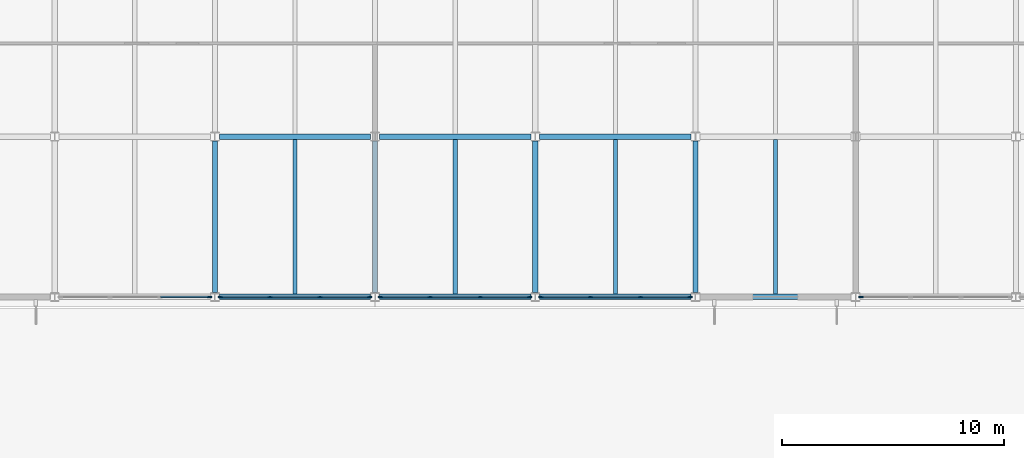
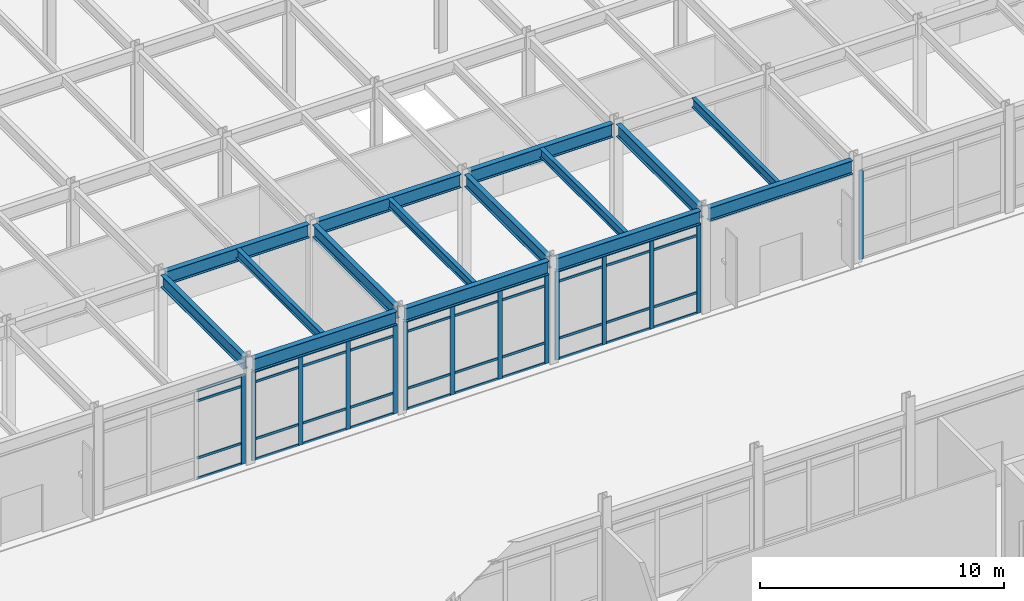
# One storey, part 33 of 104: 54 members, 15 beams, 5 elements without a shape of their own.
"""IFC4 building model written with IfcOpenShell, lengths in metres."""

from ifc_helpers import new_model, si_unit, direction, frame, origin, origin_2d, place, context, subcontext, project, spatial, rectangle, i_section, extrude, material, material_profile, profile_set, type_object, element, aggregate, save


model = new_model("IFC4")

# Units and contexts
model_context = context("Model", 3, precision=1e-05, world=origin(), true_north=direction((0.0, 1.0)))
body_context = subcontext(model_context, "Body", "Model", "MODEL_VIEW")
ifc_project = project(units=[si_unit("LENGTHUNIT", "METRE"), si_unit("AREAUNIT", "SQUARE_METRE"), si_unit("VOLUMEUNIT", "CUBIC_METRE"), si_unit("PLANEANGLEUNIT", "RADIAN"), si_unit("MASSUNIT", "GRAM", prefix="KILO")], contexts=[model_context])

# Site, building, storey
site_placement = place(None, origin())
site = spatial("IfcSite", under=ifc_project, at=site_placement, CompositionType="ELEMENT")
building_placement = place(site_placement, origin())
building = spatial("IfcBuilding", under=site, at=building_placement, Name="Vaelcorin Mobility Hub", CompositionType="ELEMENT")
storey_placement = place(building_placement, origin())
storey = spatial("IfcBuildingStorey", under=building, at=storey_placement, Name="L00", CompositionType="ELEMENT", Elevation=0.0)

# Beams
ifc_material_1 = material(Name="Steel ASTM A992 Grade 50", Category="steel")
ifc_material_profile_1 = material_profile(ifc_material_1, i_section(OverallWidth=0.19091796875, OverallDepth=0.4599609375, WebThickness=0.010009765625, FlangeThickness=0.01611328125, FilletRadius=0.012939453125, at=origin_2d()), Name="W18X55")
ifc_profile_set_1 = profile_set([ifc_material_profile_1], Name="Steel ASTM A992 Grade 50")
beam_type_1 = type_object("IfcBeamType", Name="BM-W18X55", PredefinedType="JOIST", material=ifc_profile_set_1)
for number, where, z_axis, x_axis, name in (
    (1, (75.60009765625, 76.925048828125, 4.929931640625), (0.0, 1.0, 0.0), (-1.0, 0.0, 0.0), "L00 Beam V4-L00-J-06-01-1"),
    (2, (82.800048828125, 76.925048828125, 4.929931640625), (0.0, 1.0, 0.0), (-1.0, 0.0, 0.0), "L00 Beam V4-L00-J-07-01-1"),
    (3, (90.0, 76.925048828125, 4.929931640625), (0.0, 1.0, 0.0), (-1.0, 0.0, 0.0), "L00 Beam V4-L00-J-08-01-1"),
    (4, (97.199951171875, 76.925048828125, 4.929931640625), (0.0, 1.0, 0.0), (-1.0, 0.0, 0.0), "L00 Beam V4-L00-J-09-01-1"),
):
    element("IfcBeam", number, at=place(storey_placement, frame(where, z_axis=z_axis, x_axis=x_axis)), inside=storey, type_object=beam_type_1, Name=name, PredefinedType="JOIST", context=body_context, shape_type="SweptSolid", body=[
        extrude(i_section(OverallWidth=0.19091796875, OverallDepth=0.4599609375, WebThickness=0.010009765625, FlangeThickness=0.01611328125, FilletRadius=0.012939453125, at=origin_2d()), origin(), (0.0, 0.0, 1.0), 6.949951171875),
    ])
ifc_material_profile_2 = material_profile(ifc_material_1, i_section(OverallWidth=0.22900390625, OverallDepth=0.612060546875, WebThickness=0.011962890625, FlangeThickness=0.01953125, FilletRadius=0.014892578125, at=origin_2d()), Name="W24X84")
ifc_profile_set_2 = profile_set([ifc_material_profile_2], Name="Steel ASTM A992 Grade 50")
beam_type_2 = type_object("IfcBeamType", Name="BM-W24X84", PredefinedType="BEAM", material=ifc_profile_set_2)
for number, where, z_axis, x_axis, name in (
    (5, (72.0, 76.9951171875, 4.85400390625), (0.0, 1.0, 0.0), (-1.0, 0.0, 0.0), "L00 Beam V4-L00-GY-06-01"),
    (6, (79.199951171875, 76.9951171875, 4.85400390625), (0.0, 1.0, 0.0), (-1.0, 0.0, 0.0), "L00 Beam V4-L00-GY-07-01"),
    (7, (86.39990234375, 76.9951171875, 4.85400390625), (0.0, 1.0, 0.0), (-1.0, 0.0, 0.0), "L00 Beam V4-L00-GY-08-01"),
    (8, (93.60009765625, 76.9951171875, 4.85400390625), (0.0, 1.0, 0.0), (-1.0, 0.0, 0.0), "L00 Beam V4-L00-GY-09-01"),
):
    element("IfcBeam", number, at=place(storey_placement, frame(where, z_axis=z_axis, x_axis=x_axis)), inside=storey, type_object=beam_type_2, Name=name, PredefinedType="BEAM", context=body_context, shape_type="SweptSolid", body=[
        extrude(i_section(OverallWidth=0.22900390625, OverallDepth=0.612060546875, WebThickness=0.011962890625, FlangeThickness=0.01953125, FilletRadius=0.014892578125, at=origin_2d()), origin(), (0.0, 0.0, 1.0), 6.803955078125),
    ])
ifc_material_profile_3 = material_profile(ifc_material_1, i_section(OverallWidth=0.25390625, OverallDepth=0.68310546875, WebThickness=0.012451171875, FlangeThickness=0.018798828125, FilletRadius=0.01611328125, at=origin_2d()), Name="W27X94")
ifc_profile_set_3 = profile_set([ifc_material_profile_3], Name="Steel ASTM A992 Grade 50")
beam_type_3 = type_object("IfcBeamType", Name="BM-W27X94", PredefinedType="BEAM", material=ifc_profile_set_3)
for number, where, z_axis, x_axis, name in (
    (9, (72.197998046875, 76.800048828125, 4.818115234375), (1.0, 0.0, 0.0), (0.0, 1.0, 0.0), "L00 Beam V4-L00-GX-01-06"),
    (10, (79.39794921875, 76.800048828125, 4.818115234375), (1.0, 0.0, 0.0), (0.0, 1.0, 0.0), "L00 Beam V4-L00-GX-01-07"),
):
    element("IfcBeam", number, at=place(storey_placement, frame(where, z_axis=z_axis, x_axis=x_axis)), inside=storey, type_object=beam_type_3, Name=name, PredefinedType="BEAM", context=body_context, shape_type="SweptSolid", body=[
        extrude(i_section(OverallWidth=0.25390625, OverallDepth=0.68310546875, WebThickness=0.012451171875, FlangeThickness=0.018798828125, FilletRadius=0.01611328125, at=origin_2d()), origin(), (0.0, 0.0, 1.0), 6.803955078125),
    ])
beam_1_placement = place(storey_placement, frame((86.597900390625, 76.800048828125, 4.818115234375), z_axis=(1.0, 0.0, 0.0), x_axis=(0.0, 1.0, 0.0)))
element("IfcBeam", 11, at=beam_1_placement, inside=storey, type_object=beam_type_3, Name="L00 Beam V4-L00-GX-01-08", PredefinedType="BEAM", context=body_context, shape_type="SweptSolid", body=[
    extrude(i_section(OverallWidth=0.25390625, OverallDepth=0.68310546875, WebThickness=0.012451171875, FlangeThickness=0.018798828125, FilletRadius=0.01611328125, at=origin_2d()), origin(), (0.0, 0.0, 1.0), 6.80419921875),
])
beam_2_placement = place(storey_placement, frame((93.798095703125, 76.800048828125, 4.818115234375), z_axis=(1.0, 0.0, 0.0), x_axis=(0.0, 1.0, 0.0)))
element("IfcBeam", 12, at=beam_2_placement, inside=storey, type_object=beam_type_3, Name="L00 Beam V4-L00-GX-01-09", PredefinedType="BEAM", context=body_context, shape_type="SweptSolid", body=[
    extrude(i_section(OverallWidth=0.25390625, OverallDepth=0.68310546875, WebThickness=0.012451171875, FlangeThickness=0.018798828125, FilletRadius=0.01611328125, at=origin_2d()), origin(), (0.0, 0.0, 1.0), 6.803955078125),
])
for number, where, z_axis, x_axis, name in (
    (13, (72.199951171875, 84.0, 4.818115234375), (1.0, 0.0, 0.0), (0.0, 1.0, 0.0), "L00 Beam V4-L00-GX-02-06"),
    (14, (79.39990234375, 84.0, 4.818115234375), (1.0, 0.0, 0.0), (0.0, 1.0, 0.0), "L00 Beam V4-L00-GX-02-07"),
):
    element("IfcBeam", number, at=place(storey_placement, frame(where, z_axis=z_axis, x_axis=x_axis)), inside=storey, type_object=beam_type_3, Name=name, PredefinedType="BEAM", context=body_context, shape_type="SweptSolid", body=[
        extrude(i_section(OverallWidth=0.25390625, OverallDepth=0.68310546875, WebThickness=0.012451171875, FlangeThickness=0.018798828125, FilletRadius=0.01611328125, at=origin_2d()), origin(), (0.0, 0.0, 1.0), 6.800048828125),
    ])
beam_3_placement = place(storey_placement, frame((86.60009765625, 84.0, 4.818115234375), z_axis=(1.0, 0.0, 0.0), x_axis=(0.0, 1.0, 0.0)))
element("IfcBeam", 15, at=beam_3_placement, inside=storey, type_object=beam_type_3, Name="L00 Beam V4-L00-GX-02-08", PredefinedType="BEAM", context=body_context, shape_type="SweptSolid", body=[
    extrude(i_section(OverallWidth=0.25390625, OverallDepth=0.68310546875, WebThickness=0.012451171875, FlangeThickness=0.018798828125, FilletRadius=0.01611328125, at=origin_2d()), origin(), (0.0, 0.0, 1.0), 6.7998046875),
])

# Curtain wall, member
ifc_material_2 = material(Name="Anodised aluminium 6063-T6", Category="aluminium")
curtain_wall_type = type_object("IfcCurtainWallType", Name="CW-MSC-A", PredefinedType="NOTDEFINED", material=ifc_material_2)
curtain_wall_1_placement = place(storey_placement, origin())
curtain_wall_1 = element("IfcCurtainWall", 16, at=curtain_wall_1_placement, inside=storey, type_object=curtain_wall_type, Name="L00 Curtain Wall CW-V4-L00-S-05", PredefinedType="NOTDEFINED")
ifc_material_profile_4 = material_profile(ifc_material_2, rectangle(XDim=0.070068359375, YDim=0.199951171875, at=origin_2d()), Name="ALU-M70X200")
ifc_profile_set_4 = profile_set([ifc_material_profile_4], Name="Anodised aluminium 6063-T6")
member_type_1 = type_object("IfcMemberType", Name="CW-MULL-200", PredefinedType="MULLION", material=ifc_profile_set_4)
member_1_placement = place(storey_placement, frame((71.75, 76.800048828125, 0.0), z_axis=(0.0, 0.0, 1.0), x_axis=(0.0, -1.0, 0.0)))
member_1 = element("IfcMember", 17, at=member_1_placement, type_object=member_type_1, Name="CW3 mullion 1", PredefinedType="MULLION", context=body_context, shape_type="SweptSolid", body=[
    extrude(rectangle(XDim=0.070068359375, YDim=0.199951171875, at=origin_2d()), origin(), (0.0, 0.0, 1.0), 4.4619140625),
])

# Curtain wall, members
curtain_wall_2_placement = place(storey_placement, origin())
curtain_wall_2 = element("IfcCurtainWall", 18, at=curtain_wall_2_placement, inside=storey, type_object=curtain_wall_type, Name="L00 Curtain Wall CW-V4-L00-S-06", PredefinedType="NOTDEFINED")
member_2_placement = place(storey_placement, frame((78.949951171875, 76.800048828125, 0.0), z_axis=(0.0, 0.0, 1.0), x_axis=(0.0, -1.0, 0.0)))
member_2 = element("IfcMember", 19, at=member_2_placement, type_object=member_type_1, Name="CW3 mullion 1", PredefinedType="MULLION", context=body_context, shape_type="SweptSolid", body=[
    extrude(rectangle(XDim=0.070068359375, YDim=0.199951171875, at=origin_2d()), origin(), (0.0, 0.0, 1.0), 4.4619140625),
])
member_3_placement = place(storey_placement, frame((76.7265625, 76.800048828125, 0.0), z_axis=(0.0, 0.0, 1.0), x_axis=(0.0, -1.0, 0.0)))
member_3 = element("IfcMember", 20, at=member_3_placement, type_object=member_type_1, Name="CW3 mullion 2", PredefinedType="MULLION", context=body_context, shape_type="SweptSolid", body=[
    extrude(rectangle(XDim=0.070068359375, YDim=0.199951171875, at=origin_2d()), origin(), (0.0, 0.0, 1.0), 4.4619140625),
])
member_4_placement = place(storey_placement, frame((74.473388671875, 76.800048828125, 0.0), z_axis=(0.0, 0.0, 1.0), x_axis=(0.0, -1.0, 0.0)))
member_4 = element("IfcMember", 21, at=member_4_placement, type_object=member_type_1, Name="CW3 mullion 3", PredefinedType="MULLION", context=body_context, shape_type="SweptSolid", body=[
    extrude(rectangle(XDim=0.070068359375, YDim=0.199951171875, at=origin_2d()), origin(), (0.0, 0.0, 1.0), 4.4619140625),
])
member_5_placement = place(storey_placement, frame((72.25, 76.800048828125, 0.0), z_axis=(0.0, 0.0, 1.0), x_axis=(0.0, -1.0, 0.0)))
member_5 = element("IfcMember", 22, at=member_5_placement, type_object=member_type_1, Name="CW3 mullion 4", PredefinedType="MULLION", context=body_context, shape_type="SweptSolid", body=[
    extrude(rectangle(XDim=0.070068359375, YDim=0.199951171875, at=origin_2d()), origin(), (0.0, 0.0, 1.0), 4.4619140625),
])

curtain_wall_3_placement = place(storey_placement, origin())
curtain_wall_3 = element("IfcCurtainWall", 23, at=curtain_wall_3_placement, inside=storey, type_object=curtain_wall_type, Name="L00 Curtain Wall CW-V4-L00-S-07", PredefinedType="NOTDEFINED")
member_6_placement = place(storey_placement, frame((86.14990234375, 76.800048828125, 0.0), z_axis=(0.0, 0.0, 1.0), x_axis=(0.0, -1.0, 0.0)))
member_6 = element("IfcMember", 24, at=member_6_placement, type_object=member_type_1, Name="CW3 mullion 1", PredefinedType="MULLION", context=body_context, shape_type="SweptSolid", body=[
    extrude(rectangle(XDim=0.070068359375, YDim=0.199951171875, at=origin_2d()), origin(), (0.0, 0.0, 1.0), 4.4619140625),
])
member_7_placement = place(storey_placement, frame((83.9267578125, 76.800048828125, 0.0), z_axis=(0.0, 0.0, 1.0), x_axis=(0.0, -1.0, 0.0)))
member_7 = element("IfcMember", 25, at=member_7_placement, type_object=member_type_1, Name="CW3 mullion 2", PredefinedType="MULLION", context=body_context, shape_type="SweptSolid", body=[
    extrude(rectangle(XDim=0.070068359375, YDim=0.199951171875, at=origin_2d()), origin(), (0.0, 0.0, 1.0), 4.4619140625),
])
member_8_placement = place(storey_placement, frame((81.67333984375, 76.800048828125, 0.0), z_axis=(0.0, 0.0, 1.0), x_axis=(0.0, -1.0, 0.0)))
member_8 = element("IfcMember", 26, at=member_8_placement, type_object=member_type_1, Name="CW3 mullion 3", PredefinedType="MULLION", context=body_context, shape_type="SweptSolid", body=[
    extrude(rectangle(XDim=0.070068359375, YDim=0.199951171875, at=origin_2d()), origin(), (0.0, 0.0, 1.0), 4.4619140625),
])
member_9_placement = place(storey_placement, frame((79.449951171875, 76.800048828125, 0.0), z_axis=(0.0, 0.0, 1.0), x_axis=(0.0, -1.0, 0.0)))
member_9 = element("IfcMember", 27, at=member_9_placement, type_object=member_type_1, Name="CW3 mullion 4", PredefinedType="MULLION", context=body_context, shape_type="SweptSolid", body=[
    extrude(rectangle(XDim=0.070068359375, YDim=0.199951171875, at=origin_2d()), origin(), (0.0, 0.0, 1.0), 4.4619140625),
])

curtain_wall_4_placement = place(storey_placement, origin())
curtain_wall_4 = element("IfcCurtainWall", 28, at=curtain_wall_4_placement, inside=storey, type_object=curtain_wall_type, Name="L00 Curtain Wall CW-V4-L00-S-08", PredefinedType="NOTDEFINED")
member_10_placement = place(storey_placement, frame((93.35009765625, 76.800048828125, 0.0), z_axis=(0.0, 0.0, 1.0), x_axis=(0.0, -1.0, 0.0)))
member_10 = element("IfcMember", 29, at=member_10_placement, type_object=member_type_1, Name="CW3 mullion 1", PredefinedType="MULLION", context=body_context, shape_type="SweptSolid", body=[
    extrude(rectangle(XDim=0.070068359375, YDim=0.199951171875, at=origin_2d()), origin(), (0.0, 0.0, 1.0), 4.4619140625),
])
member_11_placement = place(storey_placement, frame((91.126708984375, 76.800048828125, 0.0), z_axis=(0.0, 0.0, 1.0), x_axis=(0.0, -1.0, 0.0)))
member_11 = element("IfcMember", 30, at=member_11_placement, type_object=member_type_1, Name="CW3 mullion 2", PredefinedType="MULLION", context=body_context, shape_type="SweptSolid", body=[
    extrude(rectangle(XDim=0.070068359375, YDim=0.199951171875, at=origin_2d()), origin(), (0.0, 0.0, 1.0), 4.4619140625),
])
member_12_placement = place(storey_placement, frame((88.873291015625, 76.800048828125, 0.0), z_axis=(0.0, 0.0, 1.0), x_axis=(0.0, -1.0, 0.0)))
member_12 = element("IfcMember", 31, at=member_12_placement, type_object=member_type_1, Name="CW3 mullion 3", PredefinedType="MULLION", context=body_context, shape_type="SweptSolid", body=[
    extrude(rectangle(XDim=0.070068359375, YDim=0.199951171875, at=origin_2d()), origin(), (0.0, 0.0, 1.0), 4.4619140625),
])
member_13_placement = place(storey_placement, frame((86.64990234375, 76.800048828125, 0.0), z_axis=(0.0, 0.0, 1.0), x_axis=(0.0, -1.0, 0.0)))
member_13 = element("IfcMember", 32, at=member_13_placement, type_object=member_type_1, Name="CW3 mullion 4", PredefinedType="MULLION", context=body_context, shape_type="SweptSolid", body=[
    extrude(rectangle(XDim=0.070068359375, YDim=0.199951171875, at=origin_2d()), origin(), (0.0, 0.0, 1.0), 4.4619140625),
])

# Curtain wall, member
curtain_wall_5_placement = place(storey_placement, origin())
curtain_wall_5 = element("IfcCurtainWall", 33, at=curtain_wall_5_placement, inside=storey, type_object=curtain_wall_type, Name="L00 Curtain Wall CW-V4-L00-S-10", PredefinedType="NOTDEFINED")
member_14_placement = place(storey_placement, frame((101.050048828125, 76.800048828125, 0.0), z_axis=(0.0, 0.0, 1.0), x_axis=(0.0, -1.0, 0.0)))
member_14 = element("IfcMember", 34, at=member_14_placement, type_object=member_type_1, Name="CW3 mullion 4", PredefinedType="MULLION", context=body_context, shape_type="SweptSolid", body=[
    extrude(rectangle(XDim=0.070068359375, YDim=0.199951171875, at=origin_2d()), origin(), (0.0, 0.0, 1.0), 4.4619140625),
])
aggregate(curtain_wall_5, [member_14])

# Member
ifc_material_profile_5 = material_profile(ifc_material_2, rectangle(XDim=0.06005859375, YDim=0.1201171875, at=origin_2d()), Name="ALU-T60X120")
ifc_profile_set_5 = profile_set([ifc_material_profile_5], Name="Anodised aluminium 6063-T6")
member_type_2 = type_object("IfcMemberType", Name="CW-TRAN-140", PredefinedType="USERDEFINED", material=ifc_profile_set_5)
member_15_placement = place(storey_placement, frame((71.719970703125, 76.800048828125, 0.030029296875), z_axis=(-1.0, 0.0, 0.0), x_axis=(0.0, -1.0, 0.0)))
member_15 = element("IfcMember", 35, at=member_15_placement, type_object=member_type_2, Name="CW3 transom 1.1", ObjectType="TRANSOM", PredefinedType="USERDEFINED", context=body_context, shape_type="SweptSolid", body=[
    extrude(rectangle(XDim=0.06005859375, YDim=0.1201171875, at=origin_2d()), origin(), (0.0, 0.0, 1.0), 2.163330078125),
])

member_16_placement = place(storey_placement, frame((71.719970703125, 76.800048828125, 1.050048828125), z_axis=(-1.0, 0.0, 0.0), x_axis=(0.0, -1.0, 0.0)))
member_16 = element("IfcMember", 36, at=member_16_placement, type_object=member_type_2, Name="CW3 transom 1.2", ObjectType="TRANSOM", PredefinedType="USERDEFINED", context=body_context, shape_type="SweptSolid", body=[
    extrude(rectangle(XDim=0.06005859375, YDim=0.1201171875, at=origin_2d()), origin(), (0.0, 0.0, 1.0), 2.163330078125),
])

member_17_placement = place(storey_placement, frame((71.719970703125, 76.800048828125, 3.912109375), z_axis=(-1.0, 0.0, 0.0), x_axis=(0.0, -1.0, 0.0)))
member_17 = element("IfcMember", 37, at=member_17_placement, type_object=member_type_2, Name="CW3 transom 1.3", ObjectType="TRANSOM", PredefinedType="USERDEFINED", context=body_context, shape_type="SweptSolid", body=[
    extrude(rectangle(XDim=0.06005859375, YDim=0.1201171875, at=origin_2d()), origin(), (0.0, 0.0, 1.0), 2.163330078125),
])

member_18_placement = place(storey_placement, frame((71.719970703125, 76.800048828125, 4.431884765625), z_axis=(-1.0, 0.0, 0.0), x_axis=(0.0, -1.0, 0.0)))
member_18 = element("IfcMember", 38, at=member_18_placement, type_object=member_type_2, Name="CW3 transom 1.4", ObjectType="TRANSOM", PredefinedType="USERDEFINED", context=body_context, shape_type="SweptSolid", body=[
    extrude(rectangle(XDim=0.06005859375, YDim=0.1201171875, at=origin_2d()), origin(), (0.0, 0.0, 1.0), 2.163330078125),
])

aggregate(curtain_wall_1, [member_1, member_15, member_16, member_17, member_18])

member_19_placement = place(storey_placement, frame((78.919921875, 76.800048828125, 0.030029296875), z_axis=(-1.0, 0.0, 0.0), x_axis=(0.0, -1.0, 0.0)))
member_19 = element("IfcMember", 39, at=member_19_placement, type_object=member_type_2, Name="CW3 transom 1.1", ObjectType="TRANSOM", PredefinedType="USERDEFINED", context=body_context, shape_type="SweptSolid", body=[
    extrude(rectangle(XDim=0.06005859375, YDim=0.1201171875, at=origin_2d()), origin(), (0.0, 0.0, 1.0), 2.163330078125),
])

member_20_placement = place(storey_placement, frame((78.919921875, 76.800048828125, 1.050048828125), z_axis=(-1.0, 0.0, 0.0), x_axis=(0.0, -1.0, 0.0)))
member_20 = element("IfcMember", 40, at=member_20_placement, type_object=member_type_2, Name="CW3 transom 1.2", ObjectType="TRANSOM", PredefinedType="USERDEFINED", context=body_context, shape_type="SweptSolid", body=[
    extrude(rectangle(XDim=0.06005859375, YDim=0.1201171875, at=origin_2d()), origin(), (0.0, 0.0, 1.0), 2.163330078125),
])

member_21_placement = place(storey_placement, frame((78.919921875, 76.800048828125, 3.912109375), z_axis=(-1.0, 0.0, 0.0), x_axis=(0.0, -1.0, 0.0)))
member_21 = element("IfcMember", 41, at=member_21_placement, type_object=member_type_2, Name="CW3 transom 1.3", ObjectType="TRANSOM", PredefinedType="USERDEFINED", context=body_context, shape_type="SweptSolid", body=[
    extrude(rectangle(XDim=0.06005859375, YDim=0.1201171875, at=origin_2d()), origin(), (0.0, 0.0, 1.0), 2.163330078125),
])

member_22_placement = place(storey_placement, frame((78.919921875, 76.800048828125, 4.431884765625), z_axis=(-1.0, 0.0, 0.0), x_axis=(0.0, -1.0, 0.0)))
member_22 = element("IfcMember", 42, at=member_22_placement, type_object=member_type_2, Name="CW3 transom 1.4", ObjectType="TRANSOM", PredefinedType="USERDEFINED", context=body_context, shape_type="SweptSolid", body=[
    extrude(rectangle(XDim=0.06005859375, YDim=0.1201171875, at=origin_2d()), origin(), (0.0, 0.0, 1.0), 2.163330078125),
])

member_23_placement = place(storey_placement, frame((76.69677734375, 76.800048828125, 0.030029296875), z_axis=(-1.0, 0.0, 0.0), x_axis=(0.0, -1.0, 0.0)))
member_23 = element("IfcMember", 43, at=member_23_placement, type_object=member_type_2, Name="CW3 transom 2.1", ObjectType="TRANSOM", PredefinedType="USERDEFINED", context=body_context, shape_type="SweptSolid", body=[
    extrude(rectangle(XDim=0.06005859375, YDim=0.1201171875, at=origin_2d()), origin(), (0.0, 0.0, 1.0), 2.193359375),
])

member_24_placement = place(storey_placement, frame((76.69677734375, 76.800048828125, 1.050048828125), z_axis=(-1.0, 0.0, 0.0), x_axis=(0.0, -1.0, 0.0)))
member_24 = element("IfcMember", 44, at=member_24_placement, type_object=member_type_2, Name="CW3 transom 2.2", ObjectType="TRANSOM", PredefinedType="USERDEFINED", context=body_context, shape_type="SweptSolid", body=[
    extrude(rectangle(XDim=0.06005859375, YDim=0.1201171875, at=origin_2d()), origin(), (0.0, 0.0, 1.0), 2.193359375),
])

member_25_placement = place(storey_placement, frame((76.69677734375, 76.800048828125, 3.912109375), z_axis=(-1.0, 0.0, 0.0), x_axis=(0.0, -1.0, 0.0)))
member_25 = element("IfcMember", 45, at=member_25_placement, type_object=member_type_2, Name="CW3 transom 2.3", ObjectType="TRANSOM", PredefinedType="USERDEFINED", context=body_context, shape_type="SweptSolid", body=[
    extrude(rectangle(XDim=0.06005859375, YDim=0.1201171875, at=origin_2d()), origin(), (0.0, 0.0, 1.0), 2.193359375),
])

member_26_placement = place(storey_placement, frame((76.69677734375, 76.800048828125, 4.431884765625), z_axis=(-1.0, 0.0, 0.0), x_axis=(0.0, -1.0, 0.0)))
member_26 = element("IfcMember", 46, at=member_26_placement, type_object=member_type_2, Name="CW3 transom 2.4", ObjectType="TRANSOM", PredefinedType="USERDEFINED", context=body_context, shape_type="SweptSolid", body=[
    extrude(rectangle(XDim=0.06005859375, YDim=0.1201171875, at=origin_2d()), origin(), (0.0, 0.0, 1.0), 2.193359375),
])

member_27_placement = place(storey_placement, frame((74.443359375, 76.800048828125, 0.030029296875), z_axis=(-1.0, 0.0, 0.0), x_axis=(0.0, -1.0, 0.0)))
member_27 = element("IfcMember", 47, at=member_27_placement, type_object=member_type_2, Name="CW3 transom 3.1", ObjectType="TRANSOM", PredefinedType="USERDEFINED", context=body_context, shape_type="SweptSolid", body=[
    extrude(rectangle(XDim=0.06005859375, YDim=0.1201171875, at=origin_2d()), origin(), (0.0, 0.0, 1.0), 2.163330078125),
])

member_28_placement = place(storey_placement, frame((74.443359375, 76.800048828125, 1.050048828125), z_axis=(-1.0, 0.0, 0.0), x_axis=(0.0, -1.0, 0.0)))
member_28 = element("IfcMember", 48, at=member_28_placement, type_object=member_type_2, Name="CW3 transom 3.2", ObjectType="TRANSOM", PredefinedType="USERDEFINED", context=body_context, shape_type="SweptSolid", body=[
    extrude(rectangle(XDim=0.06005859375, YDim=0.1201171875, at=origin_2d()), origin(), (0.0, 0.0, 1.0), 2.163330078125),
])

member_29_placement = place(storey_placement, frame((74.443359375, 76.800048828125, 3.912109375), z_axis=(-1.0, 0.0, 0.0), x_axis=(0.0, -1.0, 0.0)))
member_29 = element("IfcMember", 49, at=member_29_placement, type_object=member_type_2, Name="CW3 transom 3.3", ObjectType="TRANSOM", PredefinedType="USERDEFINED", context=body_context, shape_type="SweptSolid", body=[
    extrude(rectangle(XDim=0.06005859375, YDim=0.1201171875, at=origin_2d()), origin(), (0.0, 0.0, 1.0), 2.163330078125),
])

member_30_placement = place(storey_placement, frame((74.443359375, 76.800048828125, 4.431884765625), z_axis=(-1.0, 0.0, 0.0), x_axis=(0.0, -1.0, 0.0)))
member_30 = element("IfcMember", 50, at=member_30_placement, type_object=member_type_2, Name="CW3 transom 3.4", ObjectType="TRANSOM", PredefinedType="USERDEFINED", context=body_context, shape_type="SweptSolid", body=[
    extrude(rectangle(XDim=0.06005859375, YDim=0.1201171875, at=origin_2d()), origin(), (0.0, 0.0, 1.0), 2.163330078125),
])

aggregate(curtain_wall_2, [member_2, member_3, member_4, member_5, member_19, member_20, member_21, member_22, member_23, member_24, member_25, member_26, member_27, member_28, member_29, member_30])

member_31_placement = place(storey_placement, frame((86.1201171875, 76.800048828125, 0.030029296875), z_axis=(-1.0, 0.0, 0.0), x_axis=(0.0, -1.0, 0.0)))
member_31 = element("IfcMember", 51, at=member_31_placement, type_object=member_type_2, Name="CW3 transom 1.1", ObjectType="TRANSOM", PredefinedType="USERDEFINED", context=body_context, shape_type="SweptSolid", body=[
    extrude(rectangle(XDim=0.06005859375, YDim=0.1201171875, at=origin_2d()), origin(), (0.0, 0.0, 1.0), 2.163330078125),
])

member_32_placement = place(storey_placement, frame((86.1201171875, 76.800048828125, 1.050048828125), z_axis=(-1.0, 0.0, 0.0), x_axis=(0.0, -1.0, 0.0)))
member_32 = element("IfcMember", 52, at=member_32_placement, type_object=member_type_2, Name="CW3 transom 1.2", ObjectType="TRANSOM", PredefinedType="USERDEFINED", context=body_context, shape_type="SweptSolid", body=[
    extrude(rectangle(XDim=0.06005859375, YDim=0.1201171875, at=origin_2d()), origin(), (0.0, 0.0, 1.0), 2.163330078125),
])

member_33_placement = place(storey_placement, frame((86.1201171875, 76.800048828125, 3.912109375), z_axis=(-1.0, 0.0, 0.0), x_axis=(0.0, -1.0, 0.0)))
member_33 = element("IfcMember", 53, at=member_33_placement, type_object=member_type_2, Name="CW3 transom 1.3", ObjectType="TRANSOM", PredefinedType="USERDEFINED", context=body_context, shape_type="SweptSolid", body=[
    extrude(rectangle(XDim=0.06005859375, YDim=0.1201171875, at=origin_2d()), origin(), (0.0, 0.0, 1.0), 2.163330078125),
])

member_34_placement = place(storey_placement, frame((86.1201171875, 76.800048828125, 4.431884765625), z_axis=(-1.0, 0.0, 0.0), x_axis=(0.0, -1.0, 0.0)))
member_34 = element("IfcMember", 54, at=member_34_placement, type_object=member_type_2, Name="CW3 transom 1.4", ObjectType="TRANSOM", PredefinedType="USERDEFINED", context=body_context, shape_type="SweptSolid", body=[
    extrude(rectangle(XDim=0.06005859375, YDim=0.1201171875, at=origin_2d()), origin(), (0.0, 0.0, 1.0), 2.163330078125),
])

member_35_placement = place(storey_placement, frame((83.896728515625, 76.800048828125, 0.030029296875), z_axis=(-1.0, 0.0, 0.0), x_axis=(0.0, -1.0, 0.0)))
member_35 = element("IfcMember", 55, at=member_35_placement, type_object=member_type_2, Name="CW3 transom 2.1", ObjectType="TRANSOM", PredefinedType="USERDEFINED", context=body_context, shape_type="SweptSolid", body=[
    extrude(rectangle(XDim=0.06005859375, YDim=0.1201171875, at=origin_2d()), origin(), (0.0, 0.0, 1.0), 2.193359375),
])

member_36_placement = place(storey_placement, frame((83.896728515625, 76.800048828125, 1.050048828125), z_axis=(-1.0, 0.0, 0.0), x_axis=(0.0, -1.0, 0.0)))
member_36 = element("IfcMember", 56, at=member_36_placement, type_object=member_type_2, Name="CW3 transom 2.2", ObjectType="TRANSOM", PredefinedType="USERDEFINED", context=body_context, shape_type="SweptSolid", body=[
    extrude(rectangle(XDim=0.06005859375, YDim=0.1201171875, at=origin_2d()), origin(), (0.0, 0.0, 1.0), 2.193359375),
])

member_37_placement = place(storey_placement, frame((83.896728515625, 76.800048828125, 3.912109375), z_axis=(-1.0, 0.0, 0.0), x_axis=(0.0, -1.0, 0.0)))
member_37 = element("IfcMember", 57, at=member_37_placement, type_object=member_type_2, Name="CW3 transom 2.3", ObjectType="TRANSOM", PredefinedType="USERDEFINED", context=body_context, shape_type="SweptSolid", body=[
    extrude(rectangle(XDim=0.06005859375, YDim=0.1201171875, at=origin_2d()), origin(), (0.0, 0.0, 1.0), 2.193359375),
])

member_38_placement = place(storey_placement, frame((83.896728515625, 76.800048828125, 4.431884765625), z_axis=(-1.0, 0.0, 0.0), x_axis=(0.0, -1.0, 0.0)))
member_38 = element("IfcMember", 58, at=member_38_placement, type_object=member_type_2, Name="CW3 transom 2.4", ObjectType="TRANSOM", PredefinedType="USERDEFINED", context=body_context, shape_type="SweptSolid", body=[
    extrude(rectangle(XDim=0.06005859375, YDim=0.1201171875, at=origin_2d()), origin(), (0.0, 0.0, 1.0), 2.193359375),
])

member_39_placement = place(storey_placement, frame((81.643310546875, 76.800048828125, 0.030029296875), z_axis=(-1.0, 0.0, 0.0), x_axis=(0.0, -1.0, 0.0)))
member_39 = element("IfcMember", 59, at=member_39_placement, type_object=member_type_2, Name="CW3 transom 3.1", ObjectType="TRANSOM", PredefinedType="USERDEFINED", context=body_context, shape_type="SweptSolid", body=[
    extrude(rectangle(XDim=0.06005859375, YDim=0.1201171875, at=origin_2d()), origin(), (0.0, 0.0, 1.0), 2.163330078125),
])

member_40_placement = place(storey_placement, frame((81.643310546875, 76.800048828125, 1.050048828125), z_axis=(-1.0, 0.0, 0.0), x_axis=(0.0, -1.0, 0.0)))
member_40 = element("IfcMember", 60, at=member_40_placement, type_object=member_type_2, Name="CW3 transom 3.2", ObjectType="TRANSOM", PredefinedType="USERDEFINED", context=body_context, shape_type="SweptSolid", body=[
    extrude(rectangle(XDim=0.06005859375, YDim=0.1201171875, at=origin_2d()), origin(), (0.0, 0.0, 1.0), 2.163330078125),
])

member_41_placement = place(storey_placement, frame((81.643310546875, 76.800048828125, 3.912109375), z_axis=(-1.0, 0.0, 0.0), x_axis=(0.0, -1.0, 0.0)))
member_41 = element("IfcMember", 61, at=member_41_placement, type_object=member_type_2, Name="CW3 transom 3.3", ObjectType="TRANSOM", PredefinedType="USERDEFINED", context=body_context, shape_type="SweptSolid", body=[
    extrude(rectangle(XDim=0.06005859375, YDim=0.1201171875, at=origin_2d()), origin(), (0.0, 0.0, 1.0), 2.163330078125),
])

member_42_placement = place(storey_placement, frame((81.643310546875, 76.800048828125, 4.431884765625), z_axis=(-1.0, 0.0, 0.0), x_axis=(0.0, -1.0, 0.0)))
member_42 = element("IfcMember", 62, at=member_42_placement, type_object=member_type_2, Name="CW3 transom 3.4", ObjectType="TRANSOM", PredefinedType="USERDEFINED", context=body_context, shape_type="SweptSolid", body=[
    extrude(rectangle(XDim=0.06005859375, YDim=0.1201171875, at=origin_2d()), origin(), (0.0, 0.0, 1.0), 2.163330078125),
])

aggregate(curtain_wall_3, [member_6, member_7, member_8, member_9, member_31, member_32, member_33, member_34, member_35, member_36, member_37, member_38, member_39, member_40, member_41, member_42])

member_43_placement = place(storey_placement, frame((93.320068359375, 76.800048828125, 0.030029296875), z_axis=(-1.0, 0.0, 0.0), x_axis=(0.0, -1.0, 0.0)))
member_43 = element("IfcMember", 63, at=member_43_placement, type_object=member_type_2, Name="CW3 transom 1.1", ObjectType="TRANSOM", PredefinedType="USERDEFINED", context=body_context, shape_type="SweptSolid", body=[
    extrude(rectangle(XDim=0.06005859375, YDim=0.1201171875, at=origin_2d()), origin(), (0.0, 0.0, 1.0), 2.163330078125),
])

member_44_placement = place(storey_placement, frame((93.320068359375, 76.800048828125, 1.050048828125), z_axis=(-1.0, 0.0, 0.0), x_axis=(0.0, -1.0, 0.0)))
member_44 = element("IfcMember", 64, at=member_44_placement, type_object=member_type_2, Name="CW3 transom 1.2", ObjectType="TRANSOM", PredefinedType="USERDEFINED", context=body_context, shape_type="SweptSolid", body=[
    extrude(rectangle(XDim=0.06005859375, YDim=0.1201171875, at=origin_2d()), origin(), (0.0, 0.0, 1.0), 2.163330078125),
])

member_45_placement = place(storey_placement, frame((93.320068359375, 76.800048828125, 3.912109375), z_axis=(-1.0, 0.0, 0.0), x_axis=(0.0, -1.0, 0.0)))
member_45 = element("IfcMember", 65, at=member_45_placement, type_object=member_type_2, Name="CW3 transom 1.3", ObjectType="TRANSOM", PredefinedType="USERDEFINED", context=body_context, shape_type="SweptSolid", body=[
    extrude(rectangle(XDim=0.06005859375, YDim=0.1201171875, at=origin_2d()), origin(), (0.0, 0.0, 1.0), 2.163330078125),
])

member_46_placement = place(storey_placement, frame((93.320068359375, 76.800048828125, 4.431884765625), z_axis=(-1.0, 0.0, 0.0), x_axis=(0.0, -1.0, 0.0)))
member_46 = element("IfcMember", 66, at=member_46_placement, type_object=member_type_2, Name="CW3 transom 1.4", ObjectType="TRANSOM", PredefinedType="USERDEFINED", context=body_context, shape_type="SweptSolid", body=[
    extrude(rectangle(XDim=0.06005859375, YDim=0.1201171875, at=origin_2d()), origin(), (0.0, 0.0, 1.0), 2.163330078125),
])

member_47_placement = place(storey_placement, frame((91.0966796875, 76.800048828125, 0.030029296875), z_axis=(-1.0, 0.0, 0.0), x_axis=(0.0, -1.0, 0.0)))
member_47 = element("IfcMember", 67, at=member_47_placement, type_object=member_type_2, Name="CW3 transom 2.1", ObjectType="TRANSOM", PredefinedType="USERDEFINED", context=body_context, shape_type="SweptSolid", body=[
    extrude(rectangle(XDim=0.06005859375, YDim=0.1201171875, at=origin_2d()), origin(), (0.0, 0.0, 1.0), 2.193359375),
])

member_48_placement = place(storey_placement, frame((91.0966796875, 76.800048828125, 1.050048828125), z_axis=(-1.0, 0.0, 0.0), x_axis=(0.0, -1.0, 0.0)))
member_48 = element("IfcMember", 68, at=member_48_placement, type_object=member_type_2, Name="CW3 transom 2.2", ObjectType="TRANSOM", PredefinedType="USERDEFINED", context=body_context, shape_type="SweptSolid", body=[
    extrude(rectangle(XDim=0.06005859375, YDim=0.1201171875, at=origin_2d()), origin(), (0.0, 0.0, 1.0), 2.193359375),
])

member_49_placement = place(storey_placement, frame((91.0966796875, 76.800048828125, 3.912109375), z_axis=(-1.0, 0.0, 0.0), x_axis=(0.0, -1.0, 0.0)))
member_49 = element("IfcMember", 69, at=member_49_placement, type_object=member_type_2, Name="CW3 transom 2.3", ObjectType="TRANSOM", PredefinedType="USERDEFINED", context=body_context, shape_type="SweptSolid", body=[
    extrude(rectangle(XDim=0.06005859375, YDim=0.1201171875, at=origin_2d()), origin(), (0.0, 0.0, 1.0), 2.193359375),
])

member_50_placement = place(storey_placement, frame((91.0966796875, 76.800048828125, 4.431884765625), z_axis=(-1.0, 0.0, 0.0), x_axis=(0.0, -1.0, 0.0)))
member_50 = element("IfcMember", 70, at=member_50_placement, type_object=member_type_2, Name="CW3 transom 2.4", ObjectType="TRANSOM", PredefinedType="USERDEFINED", context=body_context, shape_type="SweptSolid", body=[
    extrude(rectangle(XDim=0.06005859375, YDim=0.1201171875, at=origin_2d()), origin(), (0.0, 0.0, 1.0), 2.193359375),
])

member_51_placement = place(storey_placement, frame((88.84326171875, 76.800048828125, 0.030029296875), z_axis=(-1.0, 0.0, 0.0), x_axis=(0.0, -1.0, 0.0)))
member_51 = element("IfcMember", 71, at=member_51_placement, type_object=member_type_2, Name="CW3 transom 3.1", ObjectType="TRANSOM", PredefinedType="USERDEFINED", context=body_context, shape_type="SweptSolid", body=[
    extrude(rectangle(XDim=0.06005859375, YDim=0.1201171875, at=origin_2d()), origin(), (0.0, 0.0, 1.0), 2.163330078125),
])

member_52_placement = place(storey_placement, frame((88.84326171875, 76.800048828125, 1.050048828125), z_axis=(-1.0, 0.0, 0.0), x_axis=(0.0, -1.0, 0.0)))
member_52 = element("IfcMember", 72, at=member_52_placement, type_object=member_type_2, Name="CW3 transom 3.2", ObjectType="TRANSOM", PredefinedType="USERDEFINED", context=body_context, shape_type="SweptSolid", body=[
    extrude(rectangle(XDim=0.06005859375, YDim=0.1201171875, at=origin_2d()), origin(), (0.0, 0.0, 1.0), 2.163330078125),
])

member_53_placement = place(storey_placement, frame((88.84326171875, 76.800048828125, 3.912109375), z_axis=(-1.0, 0.0, 0.0), x_axis=(0.0, -1.0, 0.0)))
member_53 = element("IfcMember", 73, at=member_53_placement, type_object=member_type_2, Name="CW3 transom 3.3", ObjectType="TRANSOM", PredefinedType="USERDEFINED", context=body_context, shape_type="SweptSolid", body=[
    extrude(rectangle(XDim=0.06005859375, YDim=0.1201171875, at=origin_2d()), origin(), (0.0, 0.0, 1.0), 2.163330078125),
])

member_54_placement = place(storey_placement, frame((88.84326171875, 76.800048828125, 4.431884765625), z_axis=(-1.0, 0.0, 0.0), x_axis=(0.0, -1.0, 0.0)))
member_54 = element("IfcMember", 74, at=member_54_placement, type_object=member_type_2, Name="CW3 transom 3.4", ObjectType="TRANSOM", PredefinedType="USERDEFINED", context=body_context, shape_type="SweptSolid", body=[
    extrude(rectangle(XDim=0.06005859375, YDim=0.1201171875, at=origin_2d()), origin(), (0.0, 0.0, 1.0), 2.163330078125),
])

aggregate(curtain_wall_4, [member_10, member_11, member_12, member_13, member_43, member_44, member_45, member_46, member_47, member_48, member_49, member_50, member_51, member_52, member_53, member_54])

save(model, "model.ifc")
